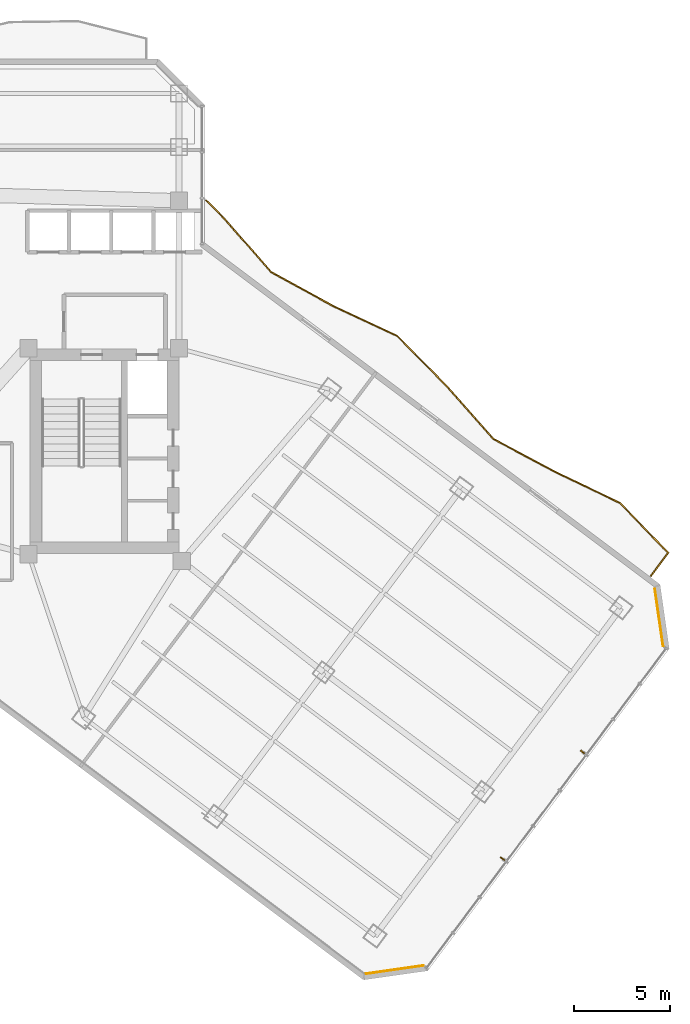
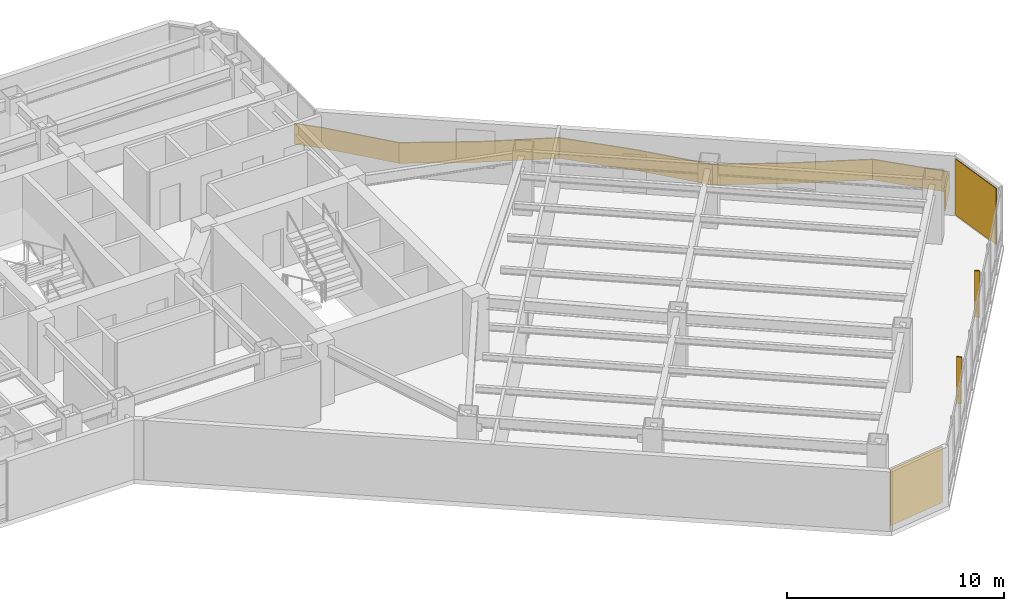
# One storey, part 27 of 29: 2 coverings, 2 shading devices, 1 railing.
"""IFC4 building model written with IfcOpenShell, lengths in metres."""

from ifc_helpers import new_model, si_unit, direction, frame, origin, origin_2d, place, context, subcontext, project, spatial, polyline, rectangle, outline, extrude, material, layer, layer_set, type_object, element, save


model = new_model("IFC4")

# Units and contexts
model_context = context("Model", 3, precision=1e-05, world=origin(), true_north=direction((0.0, 1.0)))
body_context = subcontext(model_context, "Body", "Model", "MODEL_VIEW")
ifc_project = project(units=[si_unit("LENGTHUNIT", "METRE"), si_unit("AREAUNIT", "SQUARE_METRE"), si_unit("VOLUMEUNIT", "CUBIC_METRE"), si_unit("PLANEANGLEUNIT", "RADIAN"), si_unit("MASSUNIT", "GRAM", prefix="KILO")], contexts=[model_context])

# Site, building, storey
site_placement = place(None, origin())
site = spatial("IfcSite", under=ifc_project, at=site_placement, CompositionType="ELEMENT")
building_placement = place(site_placement, origin())
building = spatial("IfcBuilding", under=site, at=building_placement, Name="Hatsunagi Terrace Concourse", CompositionType="ELEMENT")
storey_placement = place(building_placement, frame((0.0, 0.0, 104.85009765625)))
storey = spatial("IfcBuildingStorey", under=building, at=storey_placement, Name="L27", CompositionType="ELEMENT", Elevation=104.85009765625)

# Railing
ifc_material_1 = material(Name="Laminated Glass and Stainless Steel Guard", Category="steel")
ifc_layer_1 = layer(ifc_material_1, 0.070068359375)
ifc_layer_set_1 = layer_set([ifc_layer_1], Name="BalconyGlassGuardRail_1150")
railing_type = type_object("IfcRailingType", Name="BalconyGlassGuardRail_1150", PredefinedType="BALUSTRADE", material=ifc_layer_set_1)
railing_placement = place(storey_placement, origin())
element("IfcRailing", 1, at=railing_placement, inside=storey, type_object=railing_type, Name="Engawa Balcony Guard GRD-01 L27-BSE-1", PredefinedType="BALUSTRADE", context=body_context, shape_type="SweptSolid", body=[
    extrude(outline(polyline([(45.070556640625, 43.06494140625), (45.021484375, 43.01513671875), (45.9775390625, 42.072021484375), (48.4267578125, 39.26220703125), (51.66015625, 37.48876953125), (55.011474609375, 35.921875), (57.580322265625, 33.322021484375), (60.051025390625, 30.537109375), (63.30908203125, 28.798828125), (66.64013671875, 27.20703125), (69.135009765625, 24.623046875), (68.241943359375, 23.430908203125), (68.298095703125, 23.388916015625), (69.226806640625, 24.62890625), (66.681884765625, 27.264892578125), (63.3408203125, 28.861083984375), (60.094970703125, 30.593017578125), (57.631591796875, 33.369873046875), (55.052490234375, 35.97998046875), (51.69189453125, 37.55126953125), (48.47119140625, 39.317626953125), (46.028564453125, 42.1201171875), (45.070556640625, 43.06494140625)])), origin(), (0.0, 0.0, 1.0), 1.14990234375),
])

# Shading devices
ifc_material_2 = material(Name="Extruded Unglazed Terracotta Baguette", Category="masonry")
shading_device_type = type_object("IfcShadingDeviceType", Name="TerracottaFinScreen_260x70", PredefinedType="USERDEFINED", material=ifc_material_2)
for number, where, z_axis, x_axis, name in (
    (2, (64.716064453125, 14.239013671875, 0.849853515625), (0.0, 0.0, 1.0), (-0.599969314634, -0.800023013105, 0.0), "Terracotta Baguette Fin Screen SCR-01"),
    (3, (60.5400390625, 8.6689453125, 0.849853515625), (0.0, 0.0, 1.0), (-0.599969314634, -0.800023013105, 0.0), "Terracotta Baguette Fin Screen SCR-01"),
):
    element("IfcShadingDevice", number, at=place(storey_placement, frame(where, z_axis=z_axis, x_axis=x_axis)), inside=storey, type_object=shading_device_type, Name=name, ObjectType="SUNSHADE", PredefinedType="USERDEFINED", context=body_context, shape_type="SweptSolid", body=[
        extrude(rectangle(XDim=0.070068359375, YDim=0.260009765625, at=origin_2d()), origin(), (0.0, 0.0, 1.0), 2.60009765625),
    ])

# Coverings
ifc_material_3 = material(Name="Unglazed Warm Terracotta Rainscreen Tile", Category="masonry")
ifc_layer_2 = layer(ifc_material_3, 0.044921875)
ifc_layer_set_2 = layer_set([ifc_layer_2], Name="TerracottaRainscreenCladding_45")
covering_type = type_object("IfcCoveringType", Name="TerracottaRainscreenCladding_45", PredefinedType="CLADDING", material=ifc_layer_set_2)
for number, where, z_axis, x_axis, name in (
    (4, (68.700927734375, 21.258056640625, 0.099853515625), (0.0, 0.0, 1.0), (0.141250262458, -0.989973920543, 0.0), "Terracotta Rainscreen Cladding L27-02"),
    (5, (54.91796875, 2.87890625, 0.099853515625), (0.0, 0.0, 1.0), (-0.989973920543, -0.141250262458, 0.0), "Terracotta Rainscreen Cladding L27-04"),
):
    element("IfcCovering", number, at=place(storey_placement, frame(where, z_axis=z_axis, x_axis=x_axis)), inside=storey, type_object=covering_type, Name=name, PredefinedType="CLADDING", context=body_context, shape_type="SweptSolid", body=[
        extrude(rectangle(XDim=3.0380859375, YDim=0.044921875, at=origin_2d()), origin(), (0.0, 0.0, 1.0), 3.14990234375),
    ])

save(model, "model.ifc")
